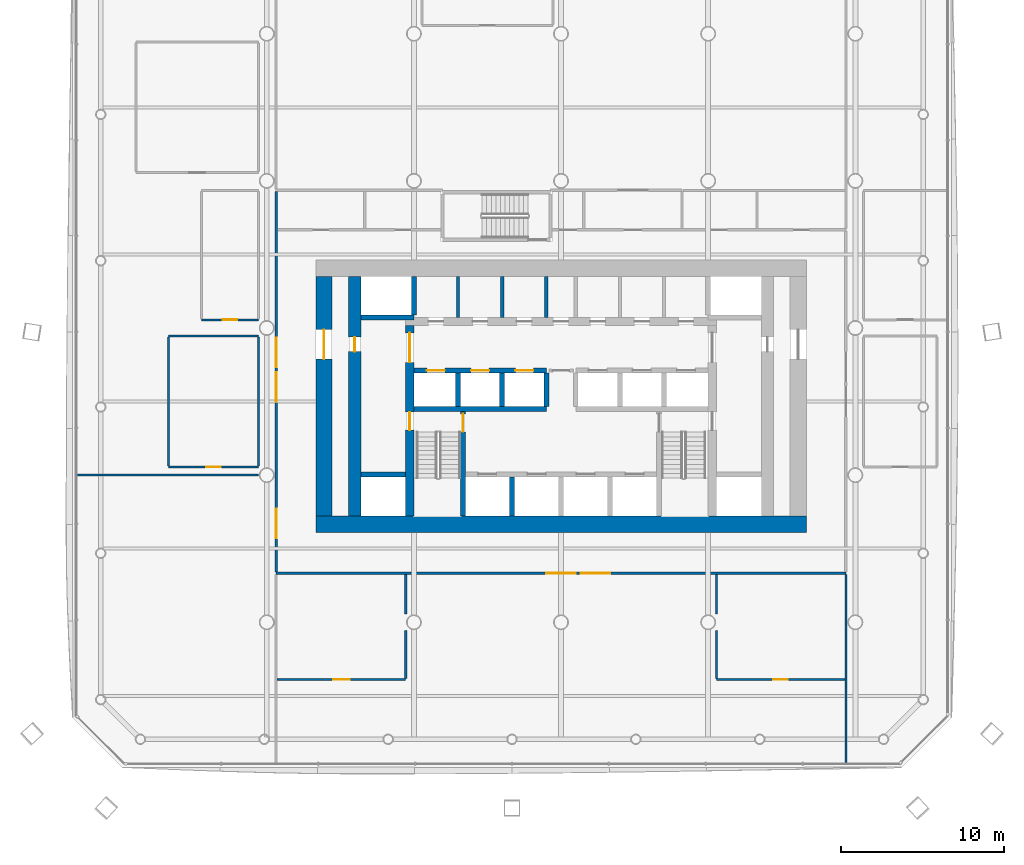
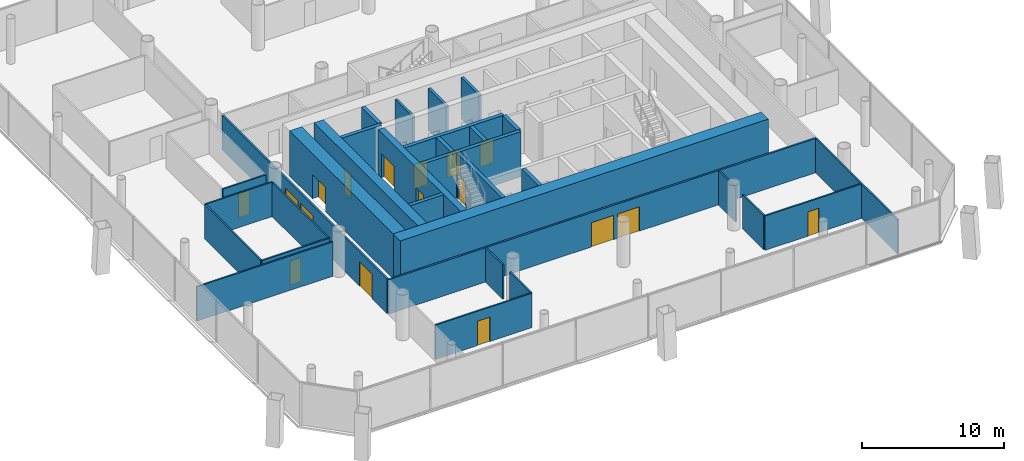
# One storey, part 13 of 21: 32 walls, 17 doors, 17 openings.
"""IFC4 building model written with IfcOpenShell, lengths in metres."""

from ifc_helpers import new_model, si_unit, direction, frame, frame_2d, origin, place, context, subcontext, project, spatial, rectangle, extrude, material, layer, layer_set, type_object, element, fill, save


model = new_model("IFC4")

# Units and contexts
model_context = context("Model", 3, precision=1e-05, world=origin(), true_north=direction((0.0, 1.0)))
body_context = subcontext(model_context, "Body", "Model", "MODEL_VIEW")
ifc_project = project(units=[si_unit("LENGTHUNIT", "METRE"), si_unit("AREAUNIT", "SQUARE_METRE"), si_unit("VOLUMEUNIT", "CUBIC_METRE"), si_unit("PLANEANGLEUNIT", "RADIAN"), si_unit("MASSUNIT", "GRAM", prefix="KILO")], contexts=[model_context])

# Site, building, storey
site_placement = place(None, origin())
site = spatial("IfcSite", under=ifc_project, at=site_placement, CompositionType="ELEMENT")
building_placement = place(site_placement, origin())
building = spatial("IfcBuilding", under=site, at=building_placement, Name="Tskaro Facet Tower", CompositionType="ELEMENT")
storey_placement = place(building_placement, frame((0.0, 0.0, 42.0)))
storey = spatial("IfcBuildingStorey", under=building, at=storey_placement, Name="L09", CompositionType="ELEMENT", Elevation=42.0)

# Walls
ifc_material_1 = material(Name="Concrete C60/75", Category="concrete")
ifc_layer_1 = layer(ifc_material_1, 0.300048828125, Name="Concrete C60/75")
ifc_layer_set_1 = layer_set([ifc_layer_1], Name="Concrete C60/75")
wall_type_1 = type_object("IfcWallType", Name="CORE-SHAFT", PredefinedType="SHEAR", material=ifc_layer_set_1)
wall_1_placement = place(storey_placement, frame((-12.25, -8.949951171875, 0.0), z_axis=(0.0, 0.0, 1.0), x_axis=(1.0, 0.0, 0.0)))
element("IfcWall", 1, at=wall_1_placement, inside=storey, type_object=wall_type_1, Name="Shaft wall W005", PredefinedType="SHEAR", context=body_context, shape_type="SweptSolid", body=[
    extrude(rectangle(XDim=2.75, YDim=0.300048828125, at=frame_2d((1.375, 0.0))), origin(), (0.0, 0.0, 1.0), 3.89990234375),
])
wall_2_placement = place(storey_placement, frame((-9.0, -4.949951171875, 0.0), z_axis=(0.0, 0.0, 1.0), x_axis=(1.0, 0.0, 0.0)))
element("IfcWall", 2, at=wall_2_placement, inside=storey, type_object=wall_type_1, Name="Shaft wall W010", PredefinedType="SHEAR", context=body_context, shape_type="SweptSolid", body=[
    extrude(rectangle(XDim=8.10009765625, YDim=0.300048828125, at=frame_2d((4.050048828125, 0.0))), origin(), (0.0, 0.0, 1.0), 3.89990234375),
])

# Wall, openings, doors
wall_3_placement = place(storey_placement, frame((-9.0, -2.60009765625, 0.0), z_axis=(0.0, 0.0, 1.0), x_axis=(1.0, 0.0, 0.0)))
wall_3 = element("IfcWall", 3, at=wall_3_placement, inside=storey, type_object=wall_type_1, Name="Shaft wall W012", PredefinedType="SHEAR", context=body_context, shape_type="SweptSolid", body=[
    extrude(rectangle(XDim=8.10009765625, YDim=0.300048828125, at=frame_2d((4.050048828125, 0.0))), origin(), (0.0, 0.0, 1.0), 3.89990234375),
])
opening_1_placement = place(wall_3_placement, frame((0.800048828125, 0.0, 0.0)))
opening_1 = element("IfcOpeningElement", 4, at=opening_1_placement, cuts=wall_3, Name="Opening LD-LR1", PredefinedType="OPENING", context=body_context, shape_type="SweptSolid", body=[
    extrude(rectangle(XDim=1.10009765625, YDim=2.10009765625, at=frame_2d((0.550048828125, 1.050048828125))), frame((0.0, 0.159912109375, 0.0), z_axis=(0.0, -1.0, 0.0), x_axis=(1.0, 0.0, 0.0)), (0.0, 0.0, 1.0), 0.320068359375),
])
opening_2_placement = place(wall_3_placement, frame((3.5, 0.0, 0.0)))
opening_2 = element("IfcOpeningElement", 5, at=opening_2_placement, cuts=wall_3, Name="Opening LD-LR2", PredefinedType="OPENING", context=body_context, shape_type="SweptSolid", body=[
    extrude(rectangle(XDim=1.10009765625, YDim=2.10009765625, at=frame_2d((0.550048828125, 1.050048828125))), frame((0.0, 0.159912109375, 0.0), z_axis=(0.0, -1.0, 0.0), x_axis=(1.0, 0.0, 0.0)), (0.0, 0.0, 1.0), 0.320068359375),
])
opening_3_placement = place(wall_3_placement, frame((6.199951171875, 0.0, 0.0)))
opening_3 = element("IfcOpeningElement", 6, at=opening_3_placement, cuts=wall_3, Name="Opening LD-LR3", PredefinedType="OPENING", context=body_context, shape_type="SweptSolid", body=[
    extrude(rectangle(XDim=1.10009765625, YDim=2.10009765625, at=frame_2d((0.550048828125, 1.050048828125))), frame((0.0, 0.159912109375, 0.0), z_axis=(0.0, -1.0, 0.0), x_axis=(1.0, 0.0, 0.0)), (0.0, 0.0, 1.0), 0.320068359375),
])
ifc_material_2 = material(Name="Stainless steel", Category="steel")
door_type_1 = type_object("IfcDoorType", Name="D-LANDING", OperationType="NOTDEFINED", PredefinedType="DOOR", material=ifc_material_2)
door_1_placement = place(opening_1_placement, origin())
door_1 = element("IfcDoor", 7, at=door_1_placement, inside=storey, type_object=door_type_1, Name="Landing door LR1", OperationType="DOUBLE_DOOR_SLIDING", OverallHeight=2.10009765625, OverallWidth=1.10009765625, PredefinedType="DOOR", context=body_context, shape_type="SweptSolid", body=[
    extrude(rectangle(XDim=1.10009765625, YDim=2.10009765625, at=frame_2d((0.550048828125, 1.050048828125))), frame((0.0, 0.02490234375, 0.0), z_axis=(0.0, -1.0, 0.0), x_axis=(1.0, 0.0, 0.0)), (0.0, 0.0, 1.0), 0.050048828125),
])
fill(opening_1, door_1)
door_2_placement = place(opening_2_placement, origin())
door_2 = element("IfcDoor", 8, at=door_2_placement, inside=storey, type_object=door_type_1, Name="Landing door LR2", OperationType="DOUBLE_DOOR_SLIDING", OverallHeight=2.10009765625, OverallWidth=1.10009765625, PredefinedType="DOOR", context=body_context, shape_type="SweptSolid", body=[
    extrude(rectangle(XDim=1.10009765625, YDim=2.10009765625, at=frame_2d((0.550048828125, 1.050048828125))), frame((0.0, 0.02490234375, 0.0), z_axis=(0.0, -1.0, 0.0), x_axis=(1.0, 0.0, 0.0)), (0.0, 0.0, 1.0), 0.050048828125),
])
fill(opening_2, door_2)
door_3_placement = place(opening_3_placement, origin())
door_3 = element("IfcDoor", 9, at=door_3_placement, inside=storey, type_object=door_type_1, Name="Landing door LR3", OperationType="DOUBLE_DOOR_SLIDING", OverallHeight=2.10009765625, OverallWidth=1.10009765625, PredefinedType="DOOR", context=body_context, shape_type="SweptSolid", body=[
    extrude(rectangle(XDim=1.10009765625, YDim=2.10009765625, at=frame_2d((0.550048828125, 1.050048828125))), frame((0.0, 0.02490234375, 0.0), z_axis=(0.0, -1.0, 0.0), x_axis=(1.0, 0.0, 0.0)), (0.0, 0.0, 1.0), 0.050048828125),
])
fill(opening_3, door_3)

# Walls
wall_4_placement = place(storey_placement, frame((-9.0, 0.64990234375, 0.0), z_axis=(0.0, 0.0, 1.0), x_axis=(-1.0, 0.0, 0.0)))
element("IfcWall", 10, at=wall_4_placement, inside=storey, type_object=wall_type_1, Name="Shaft wall W019", PredefinedType="SHEAR", context=body_context, shape_type="SweptSolid", body=[
    extrude(rectangle(XDim=3.25, YDim=0.300048828125, at=frame_2d((1.625, 0.0))), origin(), (0.0, 0.0, 1.0), 3.89990234375),
])
wall_5_placement = place(storey_placement, frame((-9.0, 0.800048828125, 0.0), z_axis=(0.0, 0.0, 1.0), x_axis=(0.0, 1.0, 0.0)))
element("IfcWall", 11, at=wall_5_placement, inside=storey, type_object=wall_type_1, Name="Shaft wall W046", PredefinedType="SHEAR", context=body_context, shape_type="SweptSolid", body=[
    extrude(rectangle(XDim=2.349853515625, YDim=0.300048828125, at=frame_2d((1.1748046875, 0.0))), origin(), (0.0, 0.0, 1.0), 3.89990234375),
])
wall_6_placement = place(storey_placement, frame((-6.300048828125, -4.800048828125, 0.0), z_axis=(0.0, 0.0, 1.0), x_axis=(0.0, 1.0, 0.0)))
element("IfcWall", 12, at=wall_6_placement, inside=storey, type_object=wall_type_1, Name="Shaft wall W049", PredefinedType="SHEAR", context=body_context, shape_type="SweptSolid", body=[
    extrude(rectangle(XDim=2.050048828125, YDim=0.300048828125, at=frame_2d((1.02490234375, 0.0))), origin(), (0.0, 0.0, 1.0), 3.89990234375),
])

# Wall, opening, door
wall_7_placement = place(storey_placement, frame((-6.0, -11.5, 0.0), z_axis=(0.0, 0.0, 1.0), x_axis=(0.0, 1.0, 0.0)))
wall_7 = element("IfcWall", 13, at=wall_7_placement, inside=storey, type_object=wall_type_1, Name="Shaft wall W051", PredefinedType="SHEAR", context=body_context, shape_type="SweptSolid", body=[
    extrude(rectangle(XDim=6.39990234375, YDim=0.300048828125, at=frame_2d((3.199951171875, 0.0))), origin(), (0.0, 0.0, 1.0), 3.89990234375),
])
opening_4_placement = place(wall_7_placement, frame((5.14990234375, 0.0, 0.0)))
opening_4 = element("IfcOpeningElement", 14, at=opening_4_placement, cuts=wall_7, Name="Opening ST-1-D1", PredefinedType="OPENING", context=body_context, shape_type="SweptSolid", body=[
    extrude(rectangle(XDim=1.10009765625, YDim=2.10009765625, at=frame_2d((0.550048828125, 1.050048828125))), frame((0.0, 0.159912109375, 0.0), z_axis=(0.0, -1.0, 0.0), x_axis=(1.0, 0.0, 0.0)), (0.0, 0.0, 1.0), 0.320068359375),
])
ifc_material_3 = material(Name="Steel", Category="steel")
door_type_2 = type_object("IfcDoorType", Name="D-STAIR", OperationType="NOTDEFINED", PredefinedType="DOOR", material=ifc_material_3)
door_4_placement = place(opening_4_placement, origin())
door_4 = element("IfcDoor", 15, at=door_4_placement, inside=storey, type_object=door_type_2, Name="Stair door 1", OperationType="SINGLE_SWING_LEFT", OverallHeight=2.10009765625, OverallWidth=1.10009765625, PredefinedType="DOOR", context=body_context, shape_type="SweptSolid", body=[
    extrude(rectangle(XDim=1.10009765625, YDim=2.10009765625, at=frame_2d((0.550048828125, 1.050048828125))), frame((0.0, 0.02490234375, 0.0), z_axis=(0.0, -1.0, 0.0), x_axis=(1.0, 0.0, 0.0)), (0.0, 0.0, 1.0), 0.050048828125),
])
fill(opening_4, door_4)

# Walls
wall_8_placement = place(storey_placement, frame((-3.60009765625, -4.800048828125, 0.0), z_axis=(0.0, 0.0, 1.0), x_axis=(0.0, 1.0, 0.0)))
element("IfcWall", 16, at=wall_8_placement, inside=storey, type_object=wall_type_1, Name="Shaft wall W052", PredefinedType="SHEAR", context=body_context, shape_type="SweptSolid", body=[
    extrude(rectangle(XDim=2.050048828125, YDim=0.300048828125, at=frame_2d((1.02490234375, 0.0))), origin(), (0.0, 0.0, 1.0), 3.89990234375),
])
wall_9_placement = place(storey_placement, frame((-3.0, -11.5, 0.0), z_axis=(0.0, 0.0, 1.0), x_axis=(0.0, 1.0, 0.0)))
element("IfcWall", 17, at=wall_9_placement, inside=storey, type_object=wall_type_1, Name="Shaft wall W054", PredefinedType="SHEAR", context=body_context, shape_type="SweptSolid", body=[
    extrude(rectangle(XDim=2.39990234375, YDim=0.300048828125, at=frame_2d((1.199951171875, 0.0))), origin(), (0.0, 0.0, 1.0), 3.89990234375),
])
wall_10_placement = place(storey_placement, frame((-0.89990234375, -4.800048828125, 0.0), z_axis=(0.0, 0.0, 1.0), x_axis=(0.0, 1.0, 0.0)))
element("IfcWall", 18, at=wall_10_placement, inside=storey, type_object=wall_type_1, Name="Shaft wall W055", PredefinedType="SHEAR", context=body_context, shape_type="SweptSolid", body=[
    extrude(rectangle(XDim=2.050048828125, YDim=0.300048828125, at=frame_2d((1.02490234375, 0.0))), origin(), (0.0, 0.0, 1.0), 3.89990234375),
])
ifc_material_4 = material(Name="Concrete C20/25", Category="concrete")
ifc_layer_2 = layer(ifc_material_4, 0.199951171875, Name="Concrete C20/25")
ifc_layer_set_2 = layer_set([ifc_layer_2], Name="Concrete C20/25")
wall_type_2 = type_object("IfcWallType", Name="CORE-WALL", PredefinedType="SOLIDWALL", material=ifc_layer_set_2)
for number, where, z_axis, x_axis, name in (
    (19, (-6.300048828125, 0.64990234375, 0.0), (0.0, 0.0, 1.0), (0.0, 1.0, 0.0), "Core room wall W050"),
    (20, (-3.60009765625, 0.64990234375, 0.0), (0.0, 0.0, 1.0), (0.0, 1.0, 0.0), "Core room wall W053"),
    (21, (-0.89990234375, 0.64990234375, 0.0), (0.0, 0.0, 1.0), (0.0, 1.0, 0.0), "Core room wall W056"),
):
    element("IfcWall", number, at=place(storey_placement, frame(where, z_axis=z_axis, x_axis=x_axis)), inside=storey, type_object=wall_type_2, Name=name, PredefinedType="SOLIDWALL", context=body_context, shape_type="SweptSolid", body=[
        extrude(rectangle(XDim=2.5, YDim=0.199951171875, at=frame_2d((1.25, 0.0))), origin(), (0.0, 0.0, 1.0), 3.60009765625),
    ])
ifc_layer_3 = layer(ifc_material_1, 1.0, Name="Concrete C60/75")
ifc_layer_set_3 = layer_set([ifc_layer_3], Name="Concrete C60/75")
wall_type_3 = type_object("IfcWallType", Name="Core wall 1000", PredefinedType="SHEAR", material=ifc_layer_set_3)
wall_11_placement = place(storey_placement, frame((-15.0, -12.0, 0.0), z_axis=(0.0, 0.0, 1.0), x_axis=(1.0, 0.0, 0.0)))
element("IfcWall", 22, at=wall_11_placement, inside=storey, type_object=wall_type_3, Name="Core wall CW-Z1S", PredefinedType="SHEAR", context=body_context, shape_type="SweptSolid", body=[
    extrude(rectangle(XDim=30.0, YDim=1.0, at=frame_2d((15.0, 0.0))), origin(), (0.0, 0.0, 1.0), 3.89990234375),
])

# Wall, opening, door
wall_12_placement = place(storey_placement, frame((-14.5, -11.5, 0.0), z_axis=(0.0, 0.0, 1.0), x_axis=(0.0, 1.0, 0.0)))
wall_12 = element("IfcWall", 23, at=wall_12_placement, inside=storey, type_object=wall_type_3, Name="Core wall CW-Z1W", PredefinedType="SHEAR", context=body_context, shape_type="SweptSolid", body=[
    extrude(rectangle(XDim=14.64990234375, YDim=1.0, at=frame_2d((7.324951171875, 0.0))), origin(), (0.0, 0.0, 1.0), 3.89990234375),
])
opening_5_placement = place(wall_12_placement, frame((9.60009765625, 0.0, 0.0)))
opening_5 = element("IfcOpeningElement", 24, at=opening_5_placement, cuts=wall_12, Name="Opening T2-D16", PredefinedType="OPENING", context=body_context, shape_type="SweptSolid", body=[
    extrude(rectangle(XDim=1.800048828125, YDim=2.10009765625, at=frame_2d((0.89990234375, 1.050048828125))), frame((0.0, 0.510009765625, 0.0), z_axis=(0.0, -1.0, 0.0), x_axis=(1.0, 0.0, 0.0)), (0.0, 0.0, 1.0), 1.02001953125),
])
door_type_3 = type_object("IfcDoorType", Name="D-CORE-PAIR", OperationType="NOTDEFINED", PredefinedType="DOOR", material=ifc_material_3)
door_5_placement = place(opening_5_placement, origin())
door_5 = element("IfcDoor", 25, at=door_5_placement, inside=storey, type_object=door_type_3, Name="Door T2-D16", OperationType="DOUBLE_DOOR_SINGLE_SWING", OverallHeight=2.10009765625, OverallWidth=1.800048828125, PredefinedType="DOOR", context=body_context, shape_type="SweptSolid", body=[
    extrude(rectangle(XDim=1.800048828125, YDim=2.10009765625, at=frame_2d((0.89990234375, 1.050048828125))), frame((0.0, 0.02490234375, 0.0), z_axis=(0.0, -1.0, 0.0), x_axis=(1.0, 0.0, 0.0)), (0.0, 0.0, 1.0), 0.050048828125),
])
fill(opening_5, door_5)

# Wall, openings, doors
ifc_material_5 = material(Name="Concrete C40/50", Category="concrete")
ifc_layer_4 = layer(ifc_material_5, 0.5, Name="Concrete C40/50")
ifc_layer_set_4 = layer_set([ifc_layer_4], Name="Concrete C40/50")
wall_type_4 = type_object("IfcWallType", Name="Core wall 500", PredefinedType="SHEAR", material=ifc_layer_set_4)
wall_13_placement = place(storey_placement, frame((-9.25, -11.5, 0.0), z_axis=(0.0, 0.0, 1.0), x_axis=(0.0, 1.0, 0.0)))
wall_13 = element("IfcWall", 26, at=wall_13_placement, inside=storey, type_object=wall_type_4, Name="Core wall CW-Z3W", PredefinedType="SHEAR", context=body_context, shape_type="SweptSolid", body=[
    extrude(rectangle(XDim=11.64990234375, YDim=0.5, at=frame_2d((5.824951171875, 0.0))), origin(), (0.0, 0.0, 1.0), 3.89990234375),
])
opening_6_placement = place(wall_13_placement, frame((9.39990234375, 0.0, 0.0)))
opening_6 = element("IfcOpeningElement", 27, at=opening_6_placement, cuts=wall_13, Name="Opening T2-D14", PredefinedType="OPENING", context=body_context, shape_type="SweptSolid", body=[
    extrude(rectangle(XDim=1.800048828125, YDim=2.10009765625, at=frame_2d((0.89990234375, 1.050048828125))), frame((0.0, 0.260009765625, 0.0), z_axis=(0.0, -1.0, 0.0), x_axis=(1.0, 0.0, 0.0)), (0.0, 0.0, 1.0), 0.52001953125),
])
opening_7_placement = place(wall_13_placement, frame((5.25, 0.0, 0.0)))
opening_7 = element("IfcOpeningElement", 28, at=opening_7_placement, cuts=wall_13, Name="Opening ST-1-D2", PredefinedType="OPENING", context=body_context, shape_type="SweptSolid", body=[
    extrude(rectangle(XDim=1.10009765625, YDim=2.10009765625, at=frame_2d((0.550048828125, 1.050048828125))), frame((0.0, 0.260009765625, 0.0), z_axis=(0.0, -1.0, 0.0), x_axis=(1.0, 0.0, 0.0)), (0.0, 0.0, 1.0), 0.52001953125),
])
door_6_placement = place(opening_6_placement, origin())
door_6 = element("IfcDoor", 29, at=door_6_placement, inside=storey, type_object=door_type_3, Name="Door T2-D14", OperationType="DOUBLE_DOOR_SINGLE_SWING", OverallHeight=2.10009765625, OverallWidth=1.800048828125, PredefinedType="DOOR", context=body_context, shape_type="SweptSolid", body=[
    extrude(rectangle(XDim=1.800048828125, YDim=2.10009765625, at=frame_2d((0.89990234375, 1.050048828125))), frame((0.0, 0.02490234375, 0.0), z_axis=(0.0, -1.0, 0.0), x_axis=(1.0, 0.0, 0.0)), (0.0, 0.0, 1.0), 0.050048828125),
])
fill(opening_6, door_6)
door_7_placement = place(opening_7_placement, origin())
door_7 = element("IfcDoor", 30, at=door_7_placement, inside=storey, type_object=door_type_2, Name="Stair door 1 west", OperationType="SINGLE_SWING_LEFT", OverallHeight=2.10009765625, OverallWidth=1.10009765625, PredefinedType="DOOR", context=body_context, shape_type="SweptSolid", body=[
    extrude(rectangle(XDim=1.10009765625, YDim=2.10009765625, at=frame_2d((0.550048828125, 1.050048828125))), frame((0.0, 0.02490234375, 0.0), z_axis=(0.0, -1.0, 0.0), x_axis=(1.0, 0.0, 0.0)), (0.0, 0.0, 1.0), 0.050048828125),
])
fill(opening_7, door_7)

# Wall, opening, door
ifc_material_6 = material(Name="Concrete C50/60", Category="concrete")
ifc_layer_5 = layer(ifc_material_6, 0.75, Name="Concrete C50/60")
ifc_layer_set_5 = layer_set([ifc_layer_5], Name="Concrete C50/60")
wall_type_5 = type_object("IfcWallType", Name="Core wall 750", PredefinedType="SHEAR", material=ifc_layer_set_5)
wall_14_placement = place(storey_placement, frame((-12.625, -11.5, 0.0), z_axis=(0.0, 0.0, 1.0), x_axis=(0.0, 1.0, 0.0)))
wall_14 = element("IfcWall", 31, at=wall_14_placement, inside=storey, type_object=wall_type_5, Name="Core wall CW-Z2W", PredefinedType="SHEAR", context=body_context, shape_type="SweptSolid", body=[
    extrude(rectangle(XDim=14.64990234375, YDim=0.75, at=frame_2d((7.324951171875, 0.0))), origin(), (0.0, 0.0, 1.0), 3.89990234375),
])
opening_8_placement = place(wall_14_placement, frame((10.050048828125, 0.0, 0.0)))
opening_8 = element("IfcOpeningElement", 32, at=opening_8_placement, cuts=wall_14, Name="Opening T2-D17", PredefinedType="OPENING", context=body_context, shape_type="SweptSolid", body=[
    extrude(rectangle(XDim=0.89990234375, YDim=2.10009765625, at=frame_2d((0.449951171875, 1.050048828125))), frame((0.0, 0.385009765625, 0.0), z_axis=(0.0, -1.0, 0.0), x_axis=(1.0, 0.0, 0.0)), (0.0, 0.0, 1.0), 0.77001953125),
])
ifc_material_7 = material(Name="Timber", Category="wood")
door_type_4 = type_object("IfcDoorType", Name="D-ROOM", OperationType="NOTDEFINED", PredefinedType="DOOR", material=ifc_material_7)
door_8_placement = place(opening_8_placement, origin())
door_8 = element("IfcDoor", 33, at=door_8_placement, inside=storey, type_object=door_type_4, Name="Door T2-D17", OperationType="SINGLE_SWING_LEFT", OverallHeight=2.10009765625, OverallWidth=0.89990234375, PredefinedType="DOOR", context=body_context, shape_type="SweptSolid", body=[
    extrude(rectangle(XDim=0.89990234375, YDim=2.10009765625, at=frame_2d((0.449951171875, 1.050048828125))), frame((0.0, 0.02490234375, 0.0), z_axis=(0.0, -1.0, 0.0), x_axis=(1.0, 0.0, 0.0)), (0.0, 0.0, 1.0), 0.050048828125),
])
fill(opening_8, door_8)

ifc_material_8 = material(Name="Gypsum board on steel studs", Category="steel")
ifc_layer_6 = layer(ifc_material_8, 0.125, Name="Gypsum board on steel studs")
ifc_layer_set_6 = layer_set([ifc_layer_6], Name="Gypsum board on steel studs")
wall_type_6 = type_object("IfcWallType", Name="PART", PredefinedType="PARTITIONING", material=ifc_layer_set_6)
wall_15_placement = place(storey_placement, frame((-17.362548828125, -21.5, 0.0), z_axis=(0.0, 0.0, 1.0), x_axis=(1.0, 0.0, 0.0)))
wall_15 = element("IfcWall", 34, at=wall_15_placement, inside=storey, type_object=wall_type_6, Name="Partition W001", PredefinedType="PARTITIONING", context=body_context, shape_type="SweptSolid", body=[
    extrude(rectangle(XDim=7.862548828125, YDim=0.125, at=frame_2d((3.93115234375, 0.0))), origin(), (0.0, 0.0, 1.0), 2.9599609375),
])
opening_9_placement = place(wall_15_placement, frame((3.43115234375, 0.0, 0.0)))
opening_9 = element("IfcOpeningElement", 35, at=opening_9_placement, cuts=wall_15, Name="Opening T2-D01", PredefinedType="OPENING", context=body_context, shape_type="SweptSolid", body=[
    extrude(rectangle(XDim=1.0, YDim=2.10009765625, at=frame_2d((0.5, 1.050048828125))), frame((0.0, 0.072509765625, 0.0), z_axis=(0.0, -1.0, 0.0), x_axis=(1.0, 0.0, 0.0)), (0.0, 0.0, 1.0), 0.14501953125),
])
door_type_5 = type_object("IfcDoorType", Name="D-ROOM-WIDE", OperationType="NOTDEFINED", PredefinedType="DOOR", material=ifc_material_7)
door_9_placement = place(opening_9_placement, origin())
door_9 = element("IfcDoor", 36, at=door_9_placement, inside=storey, type_object=door_type_5, Name="Door T2-D01", OperationType="SINGLE_SWING_LEFT", OverallHeight=2.10009765625, OverallWidth=1.0, PredefinedType="DOOR", context=body_context, shape_type="SweptSolid", body=[
    extrude(rectangle(XDim=1.0, YDim=2.10009765625, at=frame_2d((0.5, 1.050048828125))), frame((0.0, 0.02490234375, 0.0), z_axis=(0.0, -1.0, 0.0), x_axis=(1.0, 0.0, 0.0)), (0.0, 0.0, 1.0), 0.050048828125),
])
fill(opening_9, door_9)

wall_16_placement = place(storey_placement, frame((9.5, -21.5, 0.0), z_axis=(0.0, 0.0, 1.0), x_axis=(1.0, 0.0, 0.0)))
wall_16 = element("IfcWall", 37, at=wall_16_placement, inside=storey, type_object=wall_type_6, Name="Partition W002", PredefinedType="PARTITIONING", context=body_context, shape_type="SweptSolid", body=[
    extrude(rectangle(XDim=7.862548828125, YDim=0.125, at=frame_2d((3.93115234375, 0.0))), origin(), (0.0, 0.0, 1.0), 2.9599609375),
])
opening_10_placement = place(wall_16_placement, frame((3.481201171875, 0.0, 0.0)))
opening_10 = element("IfcOpeningElement", 38, at=opening_10_placement, cuts=wall_16, Name="Opening T2-D02", PredefinedType="OPENING", context=body_context, shape_type="SweptSolid", body=[
    extrude(rectangle(XDim=0.89990234375, YDim=2.10009765625, at=frame_2d((0.449951171875, 1.050048828125))), frame((0.0, 0.072509765625, 0.0), z_axis=(0.0, -1.0, 0.0), x_axis=(1.0, 0.0, 0.0)), (0.0, 0.0, 1.0), 0.14501953125),
])
door_10_placement = place(opening_10_placement, origin())
door_10 = element("IfcDoor", 39, at=door_10_placement, inside=storey, type_object=door_type_4, Name="Door T2-D02", OperationType="SINGLE_SWING_LEFT", OverallHeight=2.10009765625, OverallWidth=0.89990234375, PredefinedType="DOOR", context=body_context, shape_type="SweptSolid", body=[
    extrude(rectangle(XDim=0.89990234375, YDim=2.10009765625, at=frame_2d((0.449951171875, 1.050048828125))), frame((0.0, 0.02490234375, 0.0), z_axis=(0.0, -1.0, 0.0), x_axis=(1.0, 0.0, 0.0)), (0.0, 0.0, 1.0), 0.050048828125),
])
fill(opening_10, door_10)

# Wall
wall_17_placement = place(storey_placement, frame((-29.60400390625, -9.0, 0.0), z_axis=(0.0, 0.0, 1.0), x_axis=(1.0, 0.0, 0.0)))
element("IfcWall", 40, at=wall_17_placement, inside=storey, type_object=wall_type_6, Name="Partition W004", PredefinedType="PARTITIONING", context=body_context, shape_type="SweptSolid", body=[
    extrude(rectangle(XDim=11.10400390625, YDim=0.125, at=frame_2d((5.552001953125, 0.0))), origin(), (0.0, 0.0, 1.0), 2.9599609375),
])

# Wall, opening, door
wall_18_placement = place(storey_placement, frame((-24.0, -8.5, 0.0), z_axis=(0.0, 0.0, 1.0), x_axis=(1.0, 0.0, 0.0)))
wall_18 = element("IfcWall", 41, at=wall_18_placement, inside=storey, type_object=wall_type_6, Name="Partition W008", PredefinedType="PARTITIONING", context=body_context, shape_type="SweptSolid", body=[
    extrude(rectangle(XDim=5.5, YDim=0.125, at=frame_2d((2.75, 0.0))), origin(), (0.0, 0.0, 1.0), 2.9599609375),
])
opening_11_placement = place(wall_18_placement, frame((2.300048828125, 0.0, 0.0)))
opening_11 = element("IfcOpeningElement", 42, at=opening_11_placement, cuts=wall_18, Name="Opening T2-D08", PredefinedType="OPENING", context=body_context, shape_type="SweptSolid", body=[
    extrude(rectangle(XDim=0.89990234375, YDim=2.10009765625, at=frame_2d((0.449951171875, 1.050048828125))), frame((0.0, 0.072509765625, 0.0), z_axis=(0.0, -1.0, 0.0), x_axis=(1.0, 0.0, 0.0)), (0.0, 0.0, 1.0), 0.14501953125),
])
door_11_placement = place(opening_11_placement, origin())
door_11 = element("IfcDoor", 43, at=door_11_placement, inside=storey, type_object=door_type_4, Name="Door T2-D08", OperationType="SINGLE_SWING_LEFT", OverallHeight=2.10009765625, OverallWidth=0.89990234375, PredefinedType="DOOR", context=body_context, shape_type="SweptSolid", body=[
    extrude(rectangle(XDim=0.89990234375, YDim=2.10009765625, at=frame_2d((0.449951171875, 1.050048828125))), frame((0.0, 0.02490234375, 0.0), z_axis=(0.0, -1.0, 0.0), x_axis=(1.0, 0.0, 0.0)), (0.0, 0.0, 1.0), 0.050048828125),
])
fill(opening_11, door_11)

# Wall
wall_19_placement = place(storey_placement, frame((-24.0, -0.5, 0.0), z_axis=(0.0, 0.0, 1.0), x_axis=(1.0, 0.0, 0.0)))
element("IfcWall", 44, at=wall_19_placement, inside=storey, type_object=wall_type_6, Name="Partition W015", PredefinedType="PARTITIONING", context=body_context, shape_type="SweptSolid", body=[
    extrude(rectangle(XDim=5.5, YDim=0.125, at=frame_2d((2.75, 0.0))), origin(), (0.0, 0.0, 1.0), 2.9599609375),
])

# Wall, opening, door
wall_20_placement = place(storey_placement, frame((-22.0, 0.5, 0.0), z_axis=(0.0, 0.0, 1.0), x_axis=(1.0, 0.0, 0.0)))
wall_20 = element("IfcWall", 45, at=wall_20_placement, inside=storey, type_object=wall_type_6, Name="Partition W017", PredefinedType="PARTITIONING", context=body_context, shape_type="SweptSolid", body=[
    extrude(rectangle(XDim=3.5, YDim=0.125, at=frame_2d((1.75, 0.0))), origin(), (0.0, 0.0, 1.0), 2.9599609375),
])
opening_12_placement = place(wall_20_placement, frame((1.300048828125, 0.0, 0.0)))
opening_12 = element("IfcOpeningElement", 46, at=opening_12_placement, cuts=wall_20, Name="Opening T2-D27", PredefinedType="OPENING", context=body_context, shape_type="SweptSolid", body=[
    extrude(rectangle(XDim=0.89990234375, YDim=2.10009765625, at=frame_2d((0.449951171875, 1.050048828125))), frame((0.0, 0.072509765625, 0.0), z_axis=(0.0, -1.0, 0.0), x_axis=(1.0, 0.0, 0.0)), (0.0, 0.0, 1.0), 0.14501953125),
])
door_12_placement = place(opening_12_placement, origin())
door_12 = element("IfcDoor", 47, at=door_12_placement, inside=storey, type_object=door_type_4, Name="Door T2-D27", OperationType="SINGLE_SWING_LEFT", OverallHeight=2.10009765625, OverallWidth=0.89990234375, PredefinedType="DOOR", context=body_context, shape_type="SweptSolid", body=[
    extrude(rectangle(XDim=0.89990234375, YDim=2.10009765625, at=frame_2d((0.449951171875, 1.050048828125))), frame((0.0, 0.02490234375, 0.0), z_axis=(0.0, -1.0, 0.0), x_axis=(1.0, 0.0, 0.0)), (0.0, 0.0, 1.0), 0.050048828125),
])
fill(opening_12, door_12)

# Walls
for number, where, z_axis, x_axis, name in (
    (48, (-24.0, -8.4375, 0.0), (0.0, 0.0, 1.0), (0.0, 1.0, 0.0), "Partition W035"),
    (49, (-18.5, -8.4375, 0.0), (0.0, 0.0, 1.0), (0.0, 1.0, 0.0), "Partition W037"),
):
    element("IfcWall", number, at=place(storey_placement, frame(where, z_axis=z_axis, x_axis=x_axis)), inside=storey, type_object=wall_type_6, Name=name, PredefinedType="PARTITIONING", context=body_context, shape_type="SweptSolid", body=[
        extrude(rectangle(XDim=7.875, YDim=0.125, at=frame_2d((3.9375, 0.0))), origin(), (0.0, 0.0, 1.0), 2.9599609375),
    ])
wall_21_placement = place(storey_placement, frame((-9.5, -21.4375, 0.0), z_axis=(0.0, 0.0, 1.0), x_axis=(0.0, 1.0, 0.0)))
element("IfcWall", 50, at=wall_21_placement, inside=storey, type_object=wall_type_6, Name="Partition W044", PredefinedType="PARTITIONING", context=body_context, shape_type="SweptSolid", body=[
    extrude(rectangle(XDim=2.9375, YDim=0.125, at=frame_2d((1.46875, 0.0))), origin(), (0.0, 0.0, 1.0), 2.9599609375),
])
wall_22_placement = place(storey_placement, frame((-9.5, -17.5, 0.0), z_axis=(0.0, 0.0, 1.0), x_axis=(0.0, 1.0, 0.0)))
element("IfcWall", 51, at=wall_22_placement, inside=storey, type_object=wall_type_6, Name="Partition W045", PredefinedType="PARTITIONING", context=body_context, shape_type="SweptSolid", body=[
    extrude(rectangle(XDim=2.425048828125, YDim=0.125, at=frame_2d((1.21240234375, 0.0))), origin(), (0.0, 0.0, 1.0), 2.9599609375),
])
wall_23_placement = place(storey_placement, frame((9.5, -21.4375, 0.0), z_axis=(0.0, 0.0, 1.0), x_axis=(0.0, 1.0, 0.0)))
element("IfcWall", 52, at=wall_23_placement, inside=storey, type_object=wall_type_6, Name="Partition W071", PredefinedType="PARTITIONING", context=body_context, shape_type="SweptSolid", body=[
    extrude(rectangle(XDim=2.9375, YDim=0.125, at=frame_2d((1.46875, 0.0))), origin(), (0.0, 0.0, 1.0), 2.9599609375),
])
wall_24_placement = place(storey_placement, frame((9.5, -17.5, 0.0), z_axis=(0.0, 0.0, 1.0), x_axis=(0.0, 1.0, 0.0)))
element("IfcWall", 53, at=wall_24_placement, inside=storey, type_object=wall_type_6, Name="Partition W072", PredefinedType="PARTITIONING", context=body_context, shape_type="SweptSolid", body=[
    extrude(rectangle(XDim=2.425048828125, YDim=0.125, at=frame_2d((1.21240234375, 0.0))), origin(), (0.0, 0.0, 1.0), 2.9599609375),
])
wall_25_placement = place(storey_placement, frame((17.425048828125, -26.60400390625, 0.0), z_axis=(0.0, 0.0, 1.0), x_axis=(0.0, 1.0, 0.0)))
element("IfcWall", 54, at=wall_25_placement, inside=storey, type_object=wall_type_6, Name="Partition W074", PredefinedType="PARTITIONING", context=body_context, shape_type="SweptSolid", body=[
    extrude(rectangle(XDim=11.529052734375, YDim=0.125, at=frame_2d((5.7646484375, 0.0))), origin(), (0.0, 0.0, 1.0), 2.9599609375),
])

# Wall, openings, doors
ifc_layer_7 = layer(ifc_material_8, 0.14990234375, Name="Gypsum board on steel studs")
ifc_layer_set_7 = layer_set([ifc_layer_7], Name="Gypsum board on steel studs")
wall_type_7 = type_object("IfcWallType", Name="PART-CORR", PredefinedType="PARTITIONING", material=ifc_layer_set_7)
wall_26_placement = place(storey_placement, frame((-17.425048828125, -15.0, 0.0), z_axis=(0.0, 0.0, 1.0), x_axis=(1.0, 0.0, 0.0)))
wall_26 = element("IfcWall", 55, at=wall_26_placement, inside=storey, type_object=wall_type_7, Name="Corridor wall W003", PredefinedType="PARTITIONING", context=body_context, shape_type="SweptSolid", body=[
    extrude(rectangle(XDim=34.85009765625, YDim=0.14990234375, at=frame_2d((17.425048828125, 0.0))), origin(), (0.0, 0.0, 1.0), 2.9599609375),
])
opening_13_placement = place(wall_26_placement, frame((16.52490234375, 0.0, 0.0)))
opening_13 = element("IfcOpeningElement", 56, at=opening_13_placement, cuts=wall_26, Name="Opening T2-D03", PredefinedType="OPENING", context=body_context, shape_type="SweptSolid", body=[
    extrude(rectangle(XDim=1.800048828125, YDim=2.10009765625, at=frame_2d((0.89990234375, 1.050048828125))), frame((0.0, 0.0849609375, 0.0), z_axis=(0.0, -1.0, 0.0), x_axis=(1.0, 0.0, 0.0)), (0.0, 0.0, 1.0), 0.169921875),
])
opening_14_placement = place(wall_26_placement, frame((18.625, 0.0, 0.0)))
opening_14 = element("IfcOpeningElement", 57, at=opening_14_placement, cuts=wall_26, Name="Opening T2-D04", PredefinedType="OPENING", context=body_context, shape_type="SweptSolid", body=[
    extrude(rectangle(XDim=1.800048828125, YDim=2.10009765625, at=frame_2d((0.89990234375, 1.050048828125))), frame((0.0, 0.0849609375, 0.0), z_axis=(0.0, -1.0, 0.0), x_axis=(1.0, 0.0, 0.0)), (0.0, 0.0, 1.0), 0.169921875),
])
ifc_material_9 = material(Name="Glass", Category="glass")
door_type_6 = type_object("IfcDoorType", Name="D-ENTRY-PAIR", OperationType="NOTDEFINED", PredefinedType="DOOR", material=ifc_material_9)
door_13_placement = place(opening_13_placement, origin())
door_13 = element("IfcDoor", 58, at=door_13_placement, inside=storey, type_object=door_type_6, Name="Door T2-D03", OperationType="DOUBLE_DOOR_SINGLE_SWING", OverallHeight=2.10009765625, OverallWidth=1.800048828125, PredefinedType="DOOR", context=body_context, shape_type="SweptSolid", body=[
    extrude(rectangle(XDim=1.800048828125, YDim=2.10009765625, at=frame_2d((0.89990234375, 1.050048828125))), frame((0.0, 0.02490234375, 0.0), z_axis=(0.0, -1.0, 0.0), x_axis=(1.0, 0.0, 0.0)), (0.0, 0.0, 1.0), 0.050048828125),
])
fill(opening_13, door_13)
door_14_placement = place(opening_14_placement, origin())
door_14 = element("IfcDoor", 59, at=door_14_placement, inside=storey, type_object=door_type_6, Name="Door T2-D04", OperationType="DOUBLE_DOOR_SINGLE_SWING", OverallHeight=2.10009765625, OverallWidth=1.800048828125, PredefinedType="DOOR", context=body_context, shape_type="SweptSolid", body=[
    extrude(rectangle(XDim=1.800048828125, YDim=2.10009765625, at=frame_2d((0.89990234375, 1.050048828125))), frame((0.0, 0.02490234375, 0.0), z_axis=(0.0, -1.0, 0.0), x_axis=(1.0, 0.0, 0.0)), (0.0, 0.0, 1.0), 0.050048828125),
])
fill(opening_14, door_14)

wall_27_placement = place(storey_placement, frame((-17.425048828125, 8.35009765625, 0.0), z_axis=(0.0, 0.0, 1.0), x_axis=(0.0, -1.0, 0.0)))
wall_27 = element("IfcWall", 60, at=wall_27_placement, inside=storey, type_object=wall_type_7, Name="Corridor wall W041", PredefinedType="PARTITIONING", context=body_context, shape_type="SweptSolid", body=[
    extrude(rectangle(XDim=23.275146484375, YDim=0.14990234375, at=frame_2d((11.6376953125, 0.0))), origin(), (0.0, 0.0, 1.0), 2.9599609375),
])
opening_15_placement = place(wall_27_placement, frame((19.41259765625, 0.0, 0.0)))
opening_15 = element("IfcOpeningElement", 61, at=opening_15_placement, cuts=wall_27, Name="Opening T2-D05", PredefinedType="OPENING", context=body_context, shape_type="SweptSolid", body=[
    extrude(rectangle(XDim=1.800048828125, YDim=2.10009765625, at=frame_2d((0.89990234375, 1.050048828125))), frame((0.0, 0.0849609375, 0.0), z_axis=(0.0, -1.0, 0.0), x_axis=(1.0, 0.0, 0.0)), (0.0, 0.0, 1.0), 0.169921875),
])
opening_16_placement = place(wall_27_placement, frame((8.949951171875, 0.0, 0.0)))
opening_16 = element("IfcOpeningElement", 62, at=opening_16_placement, cuts=wall_27, Name="Opening T2-D13", PredefinedType="OPENING", context=body_context, shape_type="SweptSolid", body=[
    extrude(rectangle(XDim=1.800048828125, YDim=2.10009765625, at=frame_2d((0.89990234375, 1.050048828125))), frame((0.0, 0.0849609375, 0.0), z_axis=(0.0, -1.0, 0.0), x_axis=(1.0, 0.0, 0.0)), (0.0, 0.0, 1.0), 0.169921875),
])
opening_17_placement = place(wall_27_placement, frame((11.050048828125, 0.0, 0.0)))
opening_17 = element("IfcOpeningElement", 63, at=opening_17_placement, cuts=wall_27, Name="Opening T2-D11", PredefinedType="OPENING", context=body_context, shape_type="SweptSolid", body=[
    extrude(rectangle(XDim=1.800048828125, YDim=2.10009765625, at=frame_2d((0.89990234375, 1.050048828125))), frame((0.0, 0.0849609375, 0.0), z_axis=(0.0, -1.0, 0.0), x_axis=(1.0, 0.0, 0.0)), (0.0, 0.0, 1.0), 0.169921875),
])
door_15_placement = place(opening_15_placement, origin())
door_15 = element("IfcDoor", 64, at=door_15_placement, inside=storey, type_object=door_type_6, Name="Door T2-D05", OperationType="DOUBLE_DOOR_SINGLE_SWING", OverallHeight=2.10009765625, OverallWidth=1.800048828125, PredefinedType="DOOR", context=body_context, shape_type="SweptSolid", body=[
    extrude(rectangle(XDim=1.800048828125, YDim=2.10009765625, at=frame_2d((0.89990234375, 1.050048828125))), frame((0.0, 0.02490234375, 0.0), z_axis=(0.0, -1.0, 0.0), x_axis=(1.0, 0.0, 0.0)), (0.0, 0.0, 1.0), 0.050048828125),
])
fill(opening_15, door_15)
door_16_placement = place(opening_16_placement, origin())
door_16 = element("IfcDoor", 65, at=door_16_placement, inside=storey, type_object=door_type_6, Name="Door T2-D13", OperationType="DOUBLE_DOOR_SINGLE_SWING", OverallHeight=2.10009765625, OverallWidth=1.800048828125, PredefinedType="DOOR", context=body_context, shape_type="SweptSolid", body=[
    extrude(rectangle(XDim=1.800048828125, YDim=2.10009765625, at=frame_2d((0.89990234375, 1.050048828125))), frame((0.0, 0.02490234375, 0.0), z_axis=(0.0, -1.0, 0.0), x_axis=(1.0, 0.0, 0.0)), (0.0, 0.0, 1.0), 0.050048828125),
])
fill(opening_16, door_16)
door_17_placement = place(opening_17_placement, origin())
door_17 = element("IfcDoor", 66, at=door_17_placement, inside=storey, type_object=door_type_6, Name="Door T2-D11", OperationType="DOUBLE_DOOR_SINGLE_SWING", OverallHeight=2.10009765625, OverallWidth=1.800048828125, PredefinedType="DOOR", context=body_context, shape_type="SweptSolid", body=[
    extrude(rectangle(XDim=1.800048828125, YDim=2.10009765625, at=frame_2d((0.89990234375, 1.050048828125))), frame((0.0, 0.02490234375, 0.0), z_axis=(0.0, -1.0, 0.0), x_axis=(1.0, 0.0, 0.0)), (0.0, 0.0, 1.0), 0.050048828125),
])
fill(opening_17, door_17)

save(model, "model.ifc")
